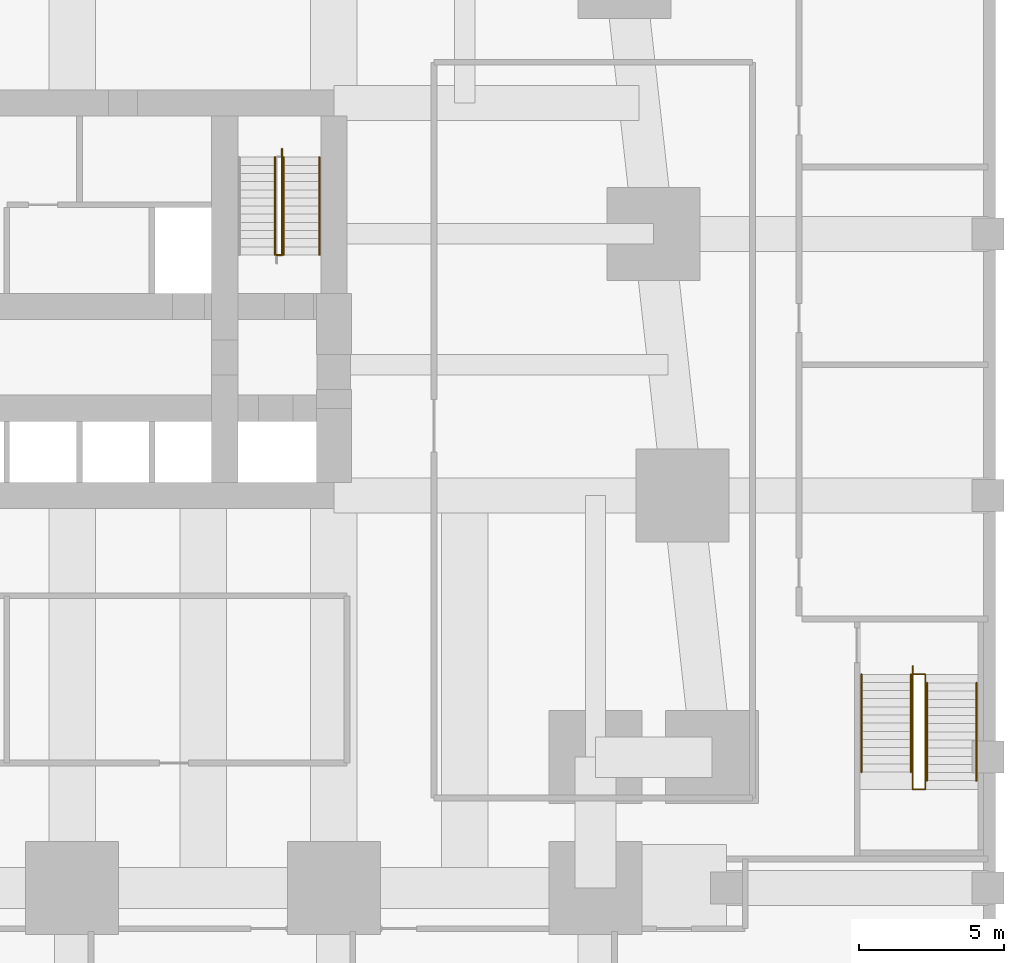
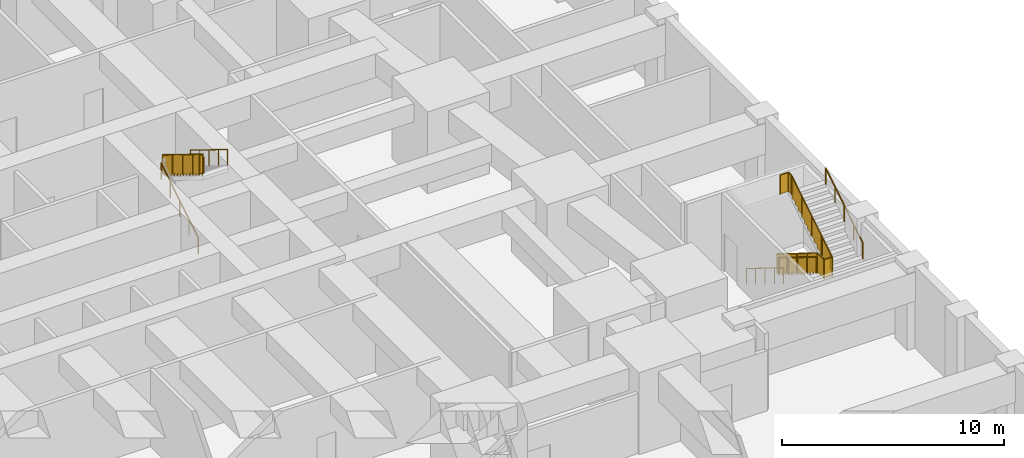
# One storey, part 8 of 8: 10 railings.
"""IFC4 building model written with IfcOpenShell, lengths in metres."""

from ifc_helpers import new_model, si_unit, direction, frame, origin, origin_2d, place, context, subcontext, project, spatial, polyline, circle, outline, extrude, material, type_object, element, save


model = new_model("IFC4")

# Units and contexts
model_context = context("Model", 3, precision=1e-05, world=origin(), true_north=direction((0.0, 1.0)))
body_context = subcontext(model_context, "Body", "Model", "MODEL_VIEW")
ifc_project = project(units=[si_unit("LENGTHUNIT", "METRE"), si_unit("AREAUNIT", "SQUARE_METRE"), si_unit("VOLUMEUNIT", "CUBIC_METRE"), si_unit("PLANEANGLEUNIT", "RADIAN"), si_unit("MASSUNIT", "GRAM", prefix="KILO")], contexts=[model_context])

# Site, building, storey
site_placement = place(None, origin())
site = spatial("IfcSite", under=ifc_project, at=site_placement, CompositionType="ELEMENT")
building_placement = place(site_placement, origin())
building = spatial("IfcBuilding", under=site, at=building_placement, Name="Kilele Tower Hotel", CompositionType="ELEMENT")
storey_placement = place(building_placement, frame((0.0, 0.0, -4.5)))
storey = spatial("IfcBuildingStorey", under=building, at=storey_placement, Name="B1", CompositionType="ELEMENT", Elevation=-4.5)

# Railings
ifc_material_1 = material(Name="Steel handrail", Category="steel")
railing_type_1 = type_object("IfcRailingType", Name="Handrail 900", PredefinedType="HANDRAIL", material=ifc_material_1)
railing_1_placement = place(storey_placement, frame((33.97509765625, 21.77490234375, 0.173095703125)))
element("IfcRailing", 1, at=railing_1_placement, inside=storey, type_object=railing_type_1, Name="Handrail ST2 flight 1", PredefinedType="HANDRAIL", context=body_context, shape_type="SweptSolid", body=[
    extrude(circle(Radius=0.02490234375, at=origin_2d()), frame((0.0, 0.0, 0.875), z_axis=(0.0, 0.850623216509, 0.525775754039), x_axis=(-1.0, 0.0, 0.0)), (0.0, 0.0, 1.0), 3.9501953125),
    extrude(circle(Radius=0.02001953125, at=origin_2d()), origin(), (0.0, 0.0, 1.0), 0.849853515625),
    extrude(circle(Radius=0.02001953125, at=origin_2d()), frame((0.0, 0.840087890625, 0.519287109375)), (0.0, 0.0, 1.0), 0.849853515625),
    extrude(circle(Radius=0.02001953125, at=origin_2d()), frame((0.0, 1.68017578125, 1.03857421875)), (0.0, 0.0, 1.0), 0.849853515625),
    extrude(circle(Radius=0.02001953125, at=origin_2d()), frame((0.0, 2.52001953125, 1.5576171875)), (0.0, 0.0, 1.0), 0.849853515625),
    extrude(circle(Radius=0.02001953125, at=origin_2d()), frame((0.0, 3.360107421875, 2.076904296875)), (0.0, 0.0, 1.0), 0.849853515625),
])
for number, where, name in (
    (2, (34.27490234375, 25.135009765625, 2.423095703125), "Handrail ST2 flight 2"),
    (3, (35.5, 25.135009765625, 2.423095703125), "Handrail ST2 flight 2"),
    (4, (54.14990234375, 7.35009765625, 0.173095703125), "Handrail ST5 flight 1"),
    (5, (55.85009765625, 7.35009765625, 0.173095703125), "Handrail ST5 flight 1"),
):
    element("IfcRailing", number, at=place(storey_placement, frame(where)), inside=storey, type_object=railing_type_1, Name=name, PredefinedType="HANDRAIL", context=body_context, shape_type="SweptSolid", body=[
        extrude(circle(Radius=0.02490234375, at=origin_2d()), frame((0.0, 0.0, 0.875), z_axis=(0.0, -0.850623216509, 0.525775754039), x_axis=(1.0, 0.0, 0.0)), (0.0, 0.0, 1.0), 3.9501953125),
        extrude(circle(Radius=0.02001953125, at=origin_2d()), origin(), (0.0, 0.0, 1.0), 0.849853515625),
        extrude(circle(Radius=0.02001953125, at=origin_2d()), frame((0.0, -0.840087890625, 0.519287109375)), (0.0, 0.0, 1.0), 0.849853515625),
        extrude(circle(Radius=0.02001953125, at=origin_2d()), frame((0.0, -1.68017578125, 1.03857421875)), (0.0, 0.0, 1.0), 0.849853515625),
        extrude(circle(Radius=0.02001953125, at=origin_2d()), frame((0.0, -2.52001953125, 1.5576171875)), (0.0, 0.0, 1.0), 0.849853515625),
        extrude(circle(Radius=0.02001953125, at=origin_2d()), frame((0.0, -3.360107421875, 2.076904296875)), (0.0, 0.0, 1.0), 0.849853515625),
    ])
for number, where, name in (
    (6, (56.39990234375, 3.68994140625, 2.423095703125), "Handrail ST5 flight 2"),
    (7, (58.10009765625, 3.68994140625, 2.423095703125), "Handrail ST5 flight 2"),
):
    element("IfcRailing", number, at=place(storey_placement, frame(where)), inside=storey, type_object=railing_type_1, Name=name, PredefinedType="HANDRAIL", context=body_context, shape_type="SweptSolid", body=[
        extrude(circle(Radius=0.02490234375, at=origin_2d()), frame((0.0, 0.0, 0.875), z_axis=(0.0, 0.850623216509, 0.525775754039), x_axis=(-1.0, 0.0, 0.0)), (0.0, 0.0, 1.0), 3.9501953125),
        extrude(circle(Radius=0.02001953125, at=origin_2d()), origin(), (0.0, 0.0, 1.0), 0.849853515625),
        extrude(circle(Radius=0.02001953125, at=origin_2d()), frame((0.0, 0.840087890625, 0.519287109375)), (0.0, 0.0, 1.0), 0.849853515625),
        extrude(circle(Radius=0.02001953125, at=origin_2d()), frame((0.0, 1.68017578125, 1.03857421875)), (0.0, 0.0, 1.0), 0.849853515625),
        extrude(circle(Radius=0.02001953125, at=origin_2d()), frame((0.0, 2.52001953125, 1.5576171875)), (0.0, 0.0, 1.0), 0.849853515625),
        extrude(circle(Radius=0.02001953125, at=origin_2d()), frame((0.0, 3.360107421875, 2.076904296875)), (0.0, 0.0, 1.0), 0.849853515625),
    ])
ifc_material_2 = material(Name="Steel guard", Category="steel")
railing_type_2 = type_object("IfcRailingType", Name="Stair guard 1100", PredefinedType="GUARDRAIL", material=ifc_material_2)
railing_2_placement = place(storey_placement, frame((34.215087890625, 25.4150390625, 2.25)))
element("IfcRailing", 8, at=railing_2_placement, inside=storey, type_object=railing_type_2, Name="Stair well guard ST2 flight 2", PredefinedType="GUARDRAIL", context=body_context, shape_type="SweptSolid", body=[
    extrude(circle(Radius=0.02490234375, at=origin_2d()), frame((0.0, 0.0, 1.0751953125), z_axis=(0.0, -0.850622404505, 0.525777067734), x_axis=(1.0, 0.0, 0.0)), (0.0, 0.0, 1.0), 4.279296875),
    extrude(circle(Radius=0.02490234375, at=origin_2d()), frame((0.0, -3.64013671875, 3.3251953125), z_axis=(-1.0, 0.0, 0.0), x_axis=(0.0, -1.0, 0.0)), (0.0, 0.0, 1.0), 0.18017578125),
    extrude(circle(Radius=0.02490234375, at=origin_2d()), origin(), (0.0, 0.0, 1.0), 1.050048828125),
    extrude(circle(Radius=0.02490234375, at=origin_2d()), frame((0.0, -0.91015625, 0.5625)), (0.0, 0.0, 1.0), 1.050048828125),
    extrude(circle(Radius=0.02490234375, at=origin_2d()), frame((0.0, -1.820068359375, 1.125)), (0.0, 0.0, 1.0), 1.050048828125),
    extrude(circle(Radius=0.02490234375, at=origin_2d()), frame((0.0, -2.72998046875, 1.6875)), (0.0, 0.0, 1.0), 1.050048828125),
    extrude(circle(Radius=0.02490234375, at=origin_2d()), frame((0.0, -3.64013671875, 2.25)), (0.0, 0.0, 1.0), 1.050048828125),
    extrude(circle(Radius=0.02490234375, at=origin_2d()), frame((-0.18017578125, -3.64013671875, 2.25)), (0.0, 0.0, 1.0), 1.050048828125),
    extrude(outline(polyline([(0.0, 0.030029296875), (0.25, 0.030029296875), (0.25, 0.203125), (0.530029296875, 0.203125), (0.530029296875, 0.376220703125), (0.81005859375, 0.376220703125), (0.81005859375, 0.54931640625), (1.090087890625, 0.54931640625), (1.090087890625, 0.722412109375), (1.3701171875, 0.722412109375), (1.3701171875, 0.8955078125), (1.650146484375, 0.8955078125), (1.650146484375, 1.068603515625), (1.929931640625, 1.068603515625), (1.929931640625, 1.241455078125), (2.2099609375, 1.241455078125), (2.2099609375, 1.41455078125), (2.489990234375, 1.41455078125), (2.489990234375, 1.587646484375), (2.77001953125, 1.587646484375), (2.77001953125, 1.7607421875), (3.050048828125, 1.7607421875), (3.050048828125, 1.933837890625), (3.330078125, 1.933837890625), (3.330078125, 2.10693359375), (3.610107421875, 2.10693359375), (3.610107421875, 2.280029296875), (3.627685546875, 2.280029296875), (3.627685546875, 3.287841796875), (0.0, 1.045654296875), (0.0, 0.030029296875)])), frame((0.005859375, 0.0, 0.0), z_axis=(-1.0, 0.0, 0.0), x_axis=(0.0, -1.0, 0.0)), (0.0, 0.0, 1.0), 0.011962890625),
    extrude(outline(polyline([(0.012451171875, 0.030029296875), (0.18017578125, 0.030029296875), (0.18017578125, 1.050048828125), (0.012451171875, 1.050048828125), (0.012451171875, 0.030029296875)])), frame((0.0, -3.64599609375, 2.25), z_axis=(0.0, 1.0, 0.0), x_axis=(-1.0, 0.0, 0.0)), (0.0, 0.0, 1.0), 0.011962890625),
])
railing_3_placement = place(storey_placement, frame((55.909912109375, 7.6298828125, 0.0)))
element("IfcRailing", 9, at=railing_3_placement, inside=storey, type_object=railing_type_2, Name="Stair well guard ST5 flight 1", PredefinedType="GUARDRAIL", context=body_context, shape_type="SweptSolid", body=[
    extrude(circle(Radius=0.02490234375, at=origin_2d()), frame((0.0, 0.0, 1.0751953125), z_axis=(0.0, -0.850606632239, 0.525802583857), x_axis=(1.0, 0.0, 0.0)), (0.0, 0.0, 1.0), 4.279052734375),
    extrude(circle(Radius=0.02490234375, at=origin_2d()), frame((0.0, -3.639892578125, 3.3251953125), z_axis=(0.0, -1.0, 0.0), x_axis=(1.0, 0.0, 0.0)), (0.0, 0.0, 1.0), 0.60009765625),
    extrude(circle(Radius=0.02490234375, at=origin_2d()), frame((0.0, -4.239990234375, 3.3251953125), z_axis=(1.0, 0.0, 0.0), x_axis=(0.0, 1.0, 0.0)), (0.0, 0.0, 1.0), 0.43017578125),
    extrude(circle(Radius=0.02490234375, at=origin_2d()), origin(), (0.0, 0.0, 1.0), 1.050048828125),
    extrude(circle(Radius=0.02490234375, at=origin_2d()), frame((0.0, -0.909912109375, 0.5625)), (0.0, 0.0, 1.0), 1.050048828125),
    extrude(circle(Radius=0.02490234375, at=origin_2d()), frame((0.0, -1.81982421875, 1.125)), (0.0, 0.0, 1.0), 1.050048828125),
    extrude(circle(Radius=0.02490234375, at=origin_2d()), frame((0.0, -2.72998046875, 1.6875)), (0.0, 0.0, 1.0), 1.050048828125),
    extrude(circle(Radius=0.02490234375, at=origin_2d()), frame((0.0, -3.639892578125, 2.25)), (0.0, 0.0, 1.0), 1.050048828125),
    extrude(circle(Radius=0.02490234375, at=origin_2d()), frame((0.0, -4.239990234375, 2.25)), (0.0, 0.0, 1.0), 1.050048828125),
    extrude(circle(Radius=0.02490234375, at=origin_2d()), frame((0.43017578125, -4.239990234375, 2.25)), (0.0, 0.0, 1.0), 1.050048828125),
    extrude(outline(polyline([(0.012451171875, 0.030029296875), (0.25, 0.030029296875), (0.25, 0.203125), (0.530029296875, 0.203125), (0.530029296875, 0.376220703125), (0.81005859375, 0.376220703125), (0.81005859375, 0.54931640625), (1.08984375, 0.54931640625), (1.08984375, 0.722412109375), (1.369873046875, 0.722412109375), (1.369873046875, 0.8955078125), (1.64990234375, 0.8955078125), (1.64990234375, 1.068603515625), (1.929931640625, 1.068603515625), (1.929931640625, 1.241455078125), (2.2099609375, 1.241455078125), (2.2099609375, 1.41455078125), (2.489990234375, 1.41455078125), (2.489990234375, 1.587646484375), (2.769775390625, 1.587646484375), (2.769775390625, 1.7607421875), (3.0498046875, 1.7607421875), (3.0498046875, 1.933837890625), (3.329833984375, 1.933837890625), (3.329833984375, 2.10693359375), (3.60986328125, 2.10693359375), (3.60986328125, 2.280029296875), (3.62744140625, 2.280029296875), (3.62744140625, 3.287841796875), (0.012451171875, 1.053466796875), (0.012451171875, 0.030029296875)])), frame((0.005859375, 0.0, 0.0), z_axis=(-1.0, 0.0, 0.0), x_axis=(0.0, -1.0, 0.0)), (0.0, 0.0, 1.0), 0.011962890625),
    extrude(outline(polyline([(0.012451171875, 0.030029296875), (0.587646484375, 0.030029296875), (0.587646484375, 1.050048828125), (0.012451171875, 1.050048828125), (0.012451171875, 0.030029296875)])), frame((0.005859375, -3.639892578125, 2.25), z_axis=(-1.0, 0.0, 0.0), x_axis=(0.0, -1.0, 0.0)), (0.0, 0.0, 1.0), 0.011962890625),
    extrude(outline(polyline([(0.012451171875, 0.030029296875), (0.43017578125, 0.030029296875), (0.43017578125, 1.050048828125), (0.012451171875, 1.050048828125), (0.012451171875, 0.030029296875)])), frame((0.0, -4.23388671875, 2.25), z_axis=(0.0, -1.0, 0.0), x_axis=(1.0, 0.0, 0.0)), (0.0, 0.0, 1.0), 0.011962890625),
])
railing_4_placement = place(storey_placement, frame((56.340087890625, 3.389892578125, 2.25)))
element("IfcRailing", 10, at=railing_4_placement, inside=storey, type_object=railing_type_2, Name="Stair well guard ST5 flight 2", PredefinedType="GUARDRAIL", context=body_context, shape_type="SweptSolid", body=[
    extrude(circle(Radius=0.02490234375, at=origin_2d()), frame((0.0, 0.0, 1.0751953125), z_axis=(0.0, 1.0, 0.0), x_axis=(-1.0, 0.0, 0.0)), (0.0, 0.0, 1.0), 0.02001953125),
    extrude(circle(Radius=0.02490234375, at=origin_2d()), frame((0.0, 0.02001953125, 1.0751953125), z_axis=(0.0, 0.850622404505, 0.525777067734), x_axis=(-1.0, 0.0, 0.0)), (0.0, 0.0, 1.0), 4.279296875),
    extrude(circle(Radius=0.02490234375, at=origin_2d()), frame((0.0, 3.66015625, 3.3251953125), z_axis=(0.0, 1.0, 0.0), x_axis=(-1.0, 0.0, 0.0)), (0.0, 0.0, 1.0), 0.300048828125),
    extrude(circle(Radius=0.02490234375, at=origin_2d()), frame((0.0, 3.960205078125, 3.3251953125), z_axis=(-1.0, 0.0, 0.0), x_axis=(0.0, -1.0, 0.0)), (0.0, 0.0, 1.0), 0.43017578125),
    extrude(circle(Radius=0.02490234375, at=origin_2d()), origin(), (0.0, 0.0, 1.0), 1.050048828125),
    extrude(circle(Radius=0.02490234375, at=origin_2d()), frame((0.0, 0.02001953125, 0.0)), (0.0, 0.0, 1.0), 1.050048828125),
    extrude(circle(Radius=0.02490234375, at=origin_2d()), frame((0.0, 0.93017578125, 0.5625)), (0.0, 0.0, 1.0), 1.050048828125),
    extrude(circle(Radius=0.02490234375, at=origin_2d()), frame((0.0, 1.840087890625, 1.125)), (0.0, 0.0, 1.0), 1.050048828125),
    extrude(circle(Radius=0.02490234375, at=origin_2d()), frame((0.0, 2.75, 1.6875)), (0.0, 0.0, 1.0), 1.050048828125),
    extrude(circle(Radius=0.02490234375, at=origin_2d()), frame((0.0, 3.66015625, 2.25)), (0.0, 0.0, 1.0), 1.050048828125),
    extrude(circle(Radius=0.02490234375, at=origin_2d()), frame((0.0, 3.960205078125, 2.25)), (0.0, 0.0, 1.0), 1.050048828125),
    extrude(circle(Radius=0.02490234375, at=origin_2d()), frame((-0.43017578125, 3.960205078125, 2.25)), (0.0, 0.0, 1.0), 1.050048828125),
    extrude(outline(polyline([(0.012451171875, 0.030029296875), (0.25, 0.030029296875), (0.25, 0.203125), (0.530029296875, 0.203125), (0.530029296875, 0.376220703125), (0.81005859375, 0.376220703125), (0.81005859375, 0.54931640625), (1.090087890625, 0.54931640625), (1.090087890625, 0.722412109375), (1.3701171875, 0.722412109375), (1.3701171875, 0.8955078125), (1.650146484375, 0.8955078125), (1.650146484375, 1.068603515625), (1.929931640625, 1.068603515625), (1.929931640625, 1.241455078125), (2.2099609375, 1.241455078125), (2.2099609375, 1.41455078125), (2.489990234375, 1.41455078125), (2.489990234375, 1.587646484375), (2.77001953125, 1.587646484375), (2.77001953125, 1.7607421875), (3.050048828125, 1.7607421875), (3.050048828125, 1.933837890625), (3.330078125, 1.933837890625), (3.330078125, 2.10693359375), (3.610107421875, 2.10693359375), (3.610107421875, 2.280029296875), (3.627685546875, 2.280029296875), (3.627685546875, 3.287841796875), (0.012451171875, 1.053466796875), (0.012451171875, 0.030029296875)])), frame((-0.005859375, 0.02001953125, 0.0), z_axis=(1.0, 0.0, 0.0), x_axis=(0.0, 1.0, 0.0)), (0.0, 0.0, 1.0), 0.011962890625),
    extrude(outline(polyline([(0.012451171875, 0.030029296875), (0.28759765625, 0.030029296875), (0.28759765625, 1.050048828125), (0.012451171875, 1.050048828125), (0.012451171875, 0.030029296875)])), frame((-0.005859375, 3.66015625, 2.25), z_axis=(1.0, 0.0, 0.0), x_axis=(0.0, 1.0, 0.0)), (0.0, 0.0, 1.0), 0.011962890625),
    extrude(outline(polyline([(0.012451171875, 0.030029296875), (0.43017578125, 0.030029296875), (0.43017578125, 1.050048828125), (0.012451171875, 1.050048828125), (0.012451171875, 0.030029296875)])), frame((0.0, 3.9541015625, 2.25), z_axis=(0.0, 1.0, 0.0), x_axis=(-1.0, 0.0, 0.0)), (0.0, 0.0, 1.0), 0.011962890625),
])

save(model, "model.ifc")
